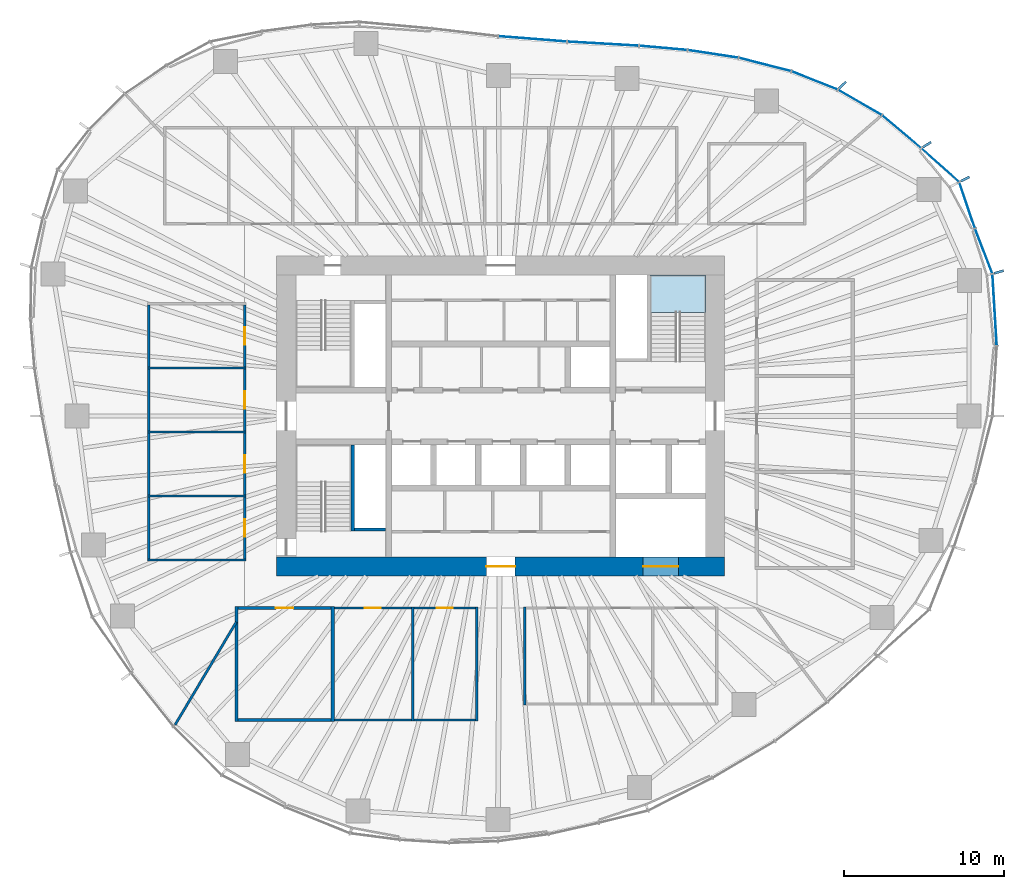
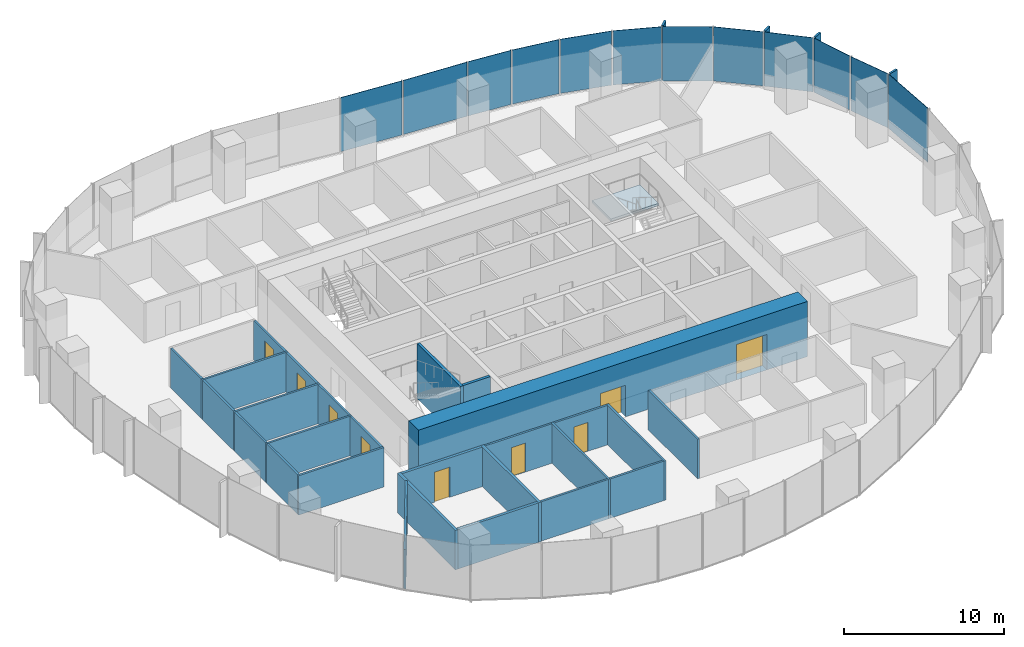
# One storey, part 8 of 18: 27 walls, 16 plates, 9 doors, 1 slab, 9 openings, 6 elements without a shape of their own.
"""IFC4 building model written with IfcOpenShell, lengths in metres."""

from ifc_helpers import new_model, si_unit, direction, frame, frame_2d, origin, origin_2d, place, context, subcontext, project, spatial, polyline, rectangle, outline, extrude, material, layer, layer_set, type_object, element, fill, aggregate, save


model = new_model("IFC4")

# Units and contexts
model_context = context("Model", 3, precision=1e-05, world=origin(), true_north=direction((0.0, 1.0)))
body_context = subcontext(model_context, "Body", "Model", "MODEL_VIEW")
ifc_project = project(units=[si_unit("LENGTHUNIT", "METRE"), si_unit("AREAUNIT", "SQUARE_METRE"), si_unit("VOLUMEUNIT", "CUBIC_METRE"), si_unit("PLANEANGLEUNIT", "RADIAN"), si_unit("MASSUNIT", "GRAM", prefix="KILO")], contexts=[model_context])

# Site, building, storey
site_placement = place(None, origin())
site = spatial("IfcSite", under=ifc_project, at=site_placement, CompositionType="ELEMENT")
building_placement = place(site_placement, origin())
building = spatial("IfcBuilding", under=site, at=building_placement, Name="Ghaith Harvest Tower", CompositionType="ELEMENT")
storey_placement = place(building_placement, frame((0.0, 0.0, 113.39990234375)))
storey = spatial("IfcBuildingStorey", under=building, at=storey_placement, Name="L23", CompositionType="ELEMENT", Elevation=113.39990234375)

# Curtain wall, plate
ifc_material_1 = material(Name="Black anodised aluminium and fritted glass", Category="aluminium")
curtain_wall_type = type_object("IfcCurtainWallType", Name="CW-L CURTAIN WALL", PredefinedType="NOTDEFINED", material=ifc_material_1)
curtain_wall_1_placement = place(storey_placement, origin())
curtain_wall_1 = element("IfcCurtainWall", 1, at=curtain_wall_1_placement, inside=storey, type_object=curtain_wall_type, Name="Curtain wall CW-L bay 01 L23", PredefinedType="NOTDEFINED")
ifc_material_2 = material(Name="Glass, dark solar-control fritted double glazed unit", Category="glass")
ifc_layer_1 = layer(ifc_material_2, 0.031982421875)
ifc_layer_set_1 = layer_set([ifc_layer_1], Name="CW-L VISION PANEL")
plate_type_1 = type_object("IfcPlateType", Name="CW-L VISION PANEL", PredefinedType="CURTAIN_PANEL", material=ifc_layer_set_1)
plate_1_placement = place(storey_placement, frame((30.863037109375, 6.63525390625, 0.080078125), z_axis=(0.0, 0.0, 1.0), x_axis=(-0.060320650032, 0.998179051663, 0.0)))
plate_1 = element("IfcPlate", 2, at=plate_1_placement, type_object=plate_type_1, Name="CW-L glass unit 2 bay 01 L23", PredefinedType="CURTAIN_PANEL", context=body_context, shape_type="SweptSolid", body=[
    extrude(rectangle(XDim=4.419189453125, YDim=0.031982421875, at=origin_2d()), origin(), (0.0, 0.0, 1.0), 4.1201171875),
])
aggregate(curtain_wall_1, [plate_1])

# Curtain wall, plates
curtain_wall_2_placement = place(storey_placement, origin())
curtain_wall_2 = element("IfcCurtainWall", 3, at=curtain_wall_2_placement, inside=storey, type_object=curtain_wall_type, Name="Curtain wall CW-L bay 02 L23", PredefinedType="NOTDEFINED")
plate_2_placement = place(storey_placement, frame((30.180908203125, 10.29833984375, 0.080078125), z_axis=(0.0, 0.0, 1.0), x_axis=(-0.359676824997, 0.933076943001, 0.0)))
plate_2 = element("IfcPlate", 4, at=plate_2_placement, type_object=plate_type_1, Name="CW-L glass unit 1 bay 02 L23", PredefinedType="CURTAIN_PANEL", context=body_context, shape_type="SweptSolid", body=[
    extrude(rectangle(XDim=2.95849609375, YDim=0.031982421875, at=origin_2d()), origin(), (0.0, 0.0, 1.0), 4.1201171875),
])
plate_3_placement = place(storey_placement, frame((29.142333984375, 13.163818359375, 0.080078125), z_axis=(0.0, 0.0, 1.0), x_axis=(-0.321853304376, 0.946789549194, 0.0)))
plate_3 = element("IfcPlate", 5, at=plate_3_placement, type_object=plate_type_1, Name="CW-L glass unit 2 bay 02 L23", PredefinedType="CURTAIN_PANEL", context=body_context, shape_type="SweptSolid", body=[
    extrude(rectangle(XDim=2.978759765625, YDim=0.031982421875, at=origin_2d()), origin(), (0.0, 0.0, 1.0), 4.1201171875),
])
plate_4_placement = place(storey_placement, frame((27.46533203125, 15.668701171875, 0.080078125), z_axis=(0.0, 0.0, 1.0), x_axis=(-0.746250544556, 0.665665174656, 0.0)))
plate_4 = element("IfcPlate", 6, at=plate_4_placement, type_object=plate_type_1, Name="CW-L glass unit 3 bay 02 L23", PredefinedType="CURTAIN_PANEL", context=body_context, shape_type="SweptSolid", body=[
    extrude(rectangle(XDim=3.094970703125, YDim=0.031982421875, at=origin_2d()), origin(), (0.0, 0.0, 1.0), 4.1201171875),
])
aggregate(curtain_wall_2, [plate_2, plate_3, plate_4])

curtain_wall_3_placement = place(storey_placement, origin())
curtain_wall_3 = element("IfcCurtainWall", 7, at=curtain_wall_3_placement, inside=storey, type_object=curtain_wall_type, Name="Curtain wall CW-L bay 03 L23", PredefinedType="NOTDEFINED")
plate_5_placement = place(storey_placement, frame((25.05126953125, 17.7587890625, 0.080078125), z_axis=(0.0, 0.0, 1.0), x_axis=(-0.765473064857, 0.643467937801, 0.0)))
plate_5 = element("IfcPlate", 8, at=plate_5_placement, type_object=plate_type_1, Name="CW-L glass unit 1 bay 03 L23", PredefinedType="CURTAIN_PANEL", context=body_context, shape_type="SweptSolid", body=[
    extrude(rectangle(XDim=3.13232421875, YDim=0.031982421875, at=origin_2d()), origin(), (0.0, 0.0, 1.0), 4.1201171875),
])
plate_6_placement = place(storey_placement, frame((22.444091796875, 19.590576171875, 0.080078125), z_axis=(0.0, 0.0, 1.0), x_axis=(-0.865232087993, 0.501371552751, 0.0)))
plate_6 = element("IfcPlate", 9, at=plate_6_placement, type_object=plate_type_1, Name="CW-L glass unit 2 bay 03 L23", PredefinedType="CURTAIN_PANEL", context=body_context, shape_type="SweptSolid", body=[
    extrude(rectangle(XDim=3.10498046875, YDim=0.031982421875, at=origin_2d()), origin(), (0.0, 0.0, 1.0), 4.1201171875),
])
plate_7_placement = place(storey_placement, frame((19.6142578125, 20.963623046875, 0.080078125), z_axis=(0.0, 0.0, 1.0), x_axis=(-0.929876534019, 0.367871759558, 0.0)))
plate_7 = element("IfcPlate", 10, at=plate_7_placement, type_object=plate_type_1, Name="CW-L glass unit 3 bay 03 L23", PredefinedType="CURTAIN_PANEL", context=body_context, shape_type="SweptSolid", body=[
    extrude(rectangle(XDim=3.042724609375, YDim=0.031982421875, at=origin_2d()), origin(), (0.0, 0.0, 1.0), 4.1201171875),
])
aggregate(curtain_wall_3, [plate_5, plate_6, plate_7])

curtain_wall_4_placement = place(storey_placement, origin())
curtain_wall_4 = element("IfcCurtainWall", 11, at=curtain_wall_4_placement, inside=storey, type_object=curtain_wall_type, Name="Curtain wall CW-L bay 04 L23", PredefinedType="NOTDEFINED")
plate_8_placement = place(storey_placement, frame((16.513427734375, 21.958740234375, 0.080078125), z_axis=(0.0, 0.0, 1.0), x_axis=(-0.96893110987, 0.247330758955, 0.0)))
plate_8 = element("IfcPlate", 12, at=plate_8_placement, type_object=plate_type_1, Name="CW-L glass unit 1 bay 04 L23", PredefinedType="CURTAIN_PANEL", context=body_context, shape_type="SweptSolid", body=[
    extrude(rectangle(XDim=3.3232421875, YDim=0.031982421875, at=origin_2d()), origin(), (0.0, 0.0, 1.0), 4.1201171875),
])
plate_9_placement = place(storey_placement, frame((13.2685546875, 22.621826171875, 0.080078125), z_axis=(0.0, 0.0, 1.0), x_axis=(-0.988678736369, 0.150047846542, 0.0)))
plate_9 = element("IfcPlate", 13, at=plate_9_placement, type_object=plate_type_1, Name="CW-L glass unit 2 bay 04 L23", PredefinedType="CURTAIN_PANEL", context=body_context, shape_type="SweptSolid", body=[
    extrude(rectangle(XDim=3.14892578125, YDim=0.031982421875, at=origin_2d()), origin(), (0.0, 0.0, 1.0), 4.1201171875),
])
plate_10_placement = place(storey_placement, frame((10.15966796875, 22.9970703125, 0.080078125), z_axis=(0.0, 0.0, 1.0), x_axis=(-0.996166190972, 0.087480969151, 0.0)))
plate_10 = element("IfcPlate", 14, at=plate_10_placement, type_object=plate_type_1, Name="CW-L glass unit 3 bay 04 L23", PredefinedType="CURTAIN_PANEL", context=body_context, shape_type="SweptSolid", body=[
    extrude(rectangle(XDim=2.957275390625, YDim=0.031982421875, at=origin_2d()), origin(), (0.0, 0.0, 1.0), 4.1201171875),
])
aggregate(curtain_wall_4, [plate_8, plate_9, plate_10])

curtain_wall_5_placement = place(storey_placement, origin())
curtain_wall_5 = element("IfcCurtainWall", 15, at=curtain_wall_5_placement, inside=storey, type_object=curtain_wall_type, Name="Curtain wall CW-L bay 05 L23", PredefinedType="NOTDEFINED")
plate_11_placement = place(storey_placement, frame((6.396728515625, 23.260498046875, 0.080078125), z_axis=(0.0, 0.0, 1.0), x_axis=(-0.998320798751, 0.05792739233, 0.0)))
plate_11 = element("IfcPlate", 16, at=plate_11_placement, type_object=plate_type_1, Name="CW-L glass unit 1 bay 05 L23", PredefinedType="CURTAIN_PANEL", context=body_context, shape_type="SweptSolid", body=[
    extrude(rectangle(XDim=4.427734375, YDim=0.031982421875, at=origin_2d()), origin(), (0.0, 0.0, 1.0), 4.1201171875),
])
plate_12_placement = place(storey_placement, frame((1.9921875, 23.560302734375, 0.080078125), z_axis=(0.0, 0.0, 1.0), x_axis=(-0.996925121312, 0.078360082291, 0.0)))
plate_12 = element("IfcPlate", 17, at=plate_12_placement, type_object=plate_type_1, Name="CW-L glass unit 2 bay 05 L23", PredefinedType="CURTAIN_PANEL", context=body_context, shape_type="SweptSolid", body=[
    extrude(rectangle(XDim=4.242431640625, YDim=0.031982421875, at=origin_2d()), origin(), (0.0, 0.0, 1.0), 4.1201171875),
])
aggregate(curtain_wall_5, [plate_11, plate_12])

# Stair, slab
ifc_material_3 = material(Name="Concrete C40/50, precast", Category="concrete")
stair_type = type_object("IfcStairType", Name="CORE STAIR 24R", PredefinedType="HALF_TURN_STAIR", material=ifc_material_3)
stair_placement = place(storey_placement, origin())
stair = element("IfcStair", 18, at=stair_placement, inside=storey, type_object=stair_type, Name="Stair ST2 L23", PredefinedType="HALF_TURN_STAIR")
ifc_material_4 = material(Name="Concrete C40/50, precast", Category="concrete")
ifc_layer_2 = layer(ifc_material_4, 0.179931640625)
ifc_layer_set_2 = layer_set([ifc_layer_2], Name="STAIR LANDING 180")
slab_type = type_object("IfcSlabType", Name="STAIR LANDING 180", PredefinedType="LANDING", material=ifc_layer_set_2)
slab_placement = place(storey_placement, frame((0.0, 0.0, 1.920166015625)))
slab = element("IfcSlab", 19, at=slab_placement, type_object=slab_type, Name="ST2 landing 1", PredefinedType="LANDING", context=body_context, shape_type="SweptSolid", body=[
    extrude(outline(polyline([(12.800048828125, 6.4599609375), (12.800048828125, 8.800048828125), (9.35009765625, 8.800048828125), (9.35009765625, 6.4599609375), (12.800048828125, 6.4599609375)])), origin(), (0.0, 0.0, 1.0), 0.179931640625),
])
aggregate(stair, [slab])

# Plates
ifc_material_5 = material(Name="Glassfibre-reinforced concrete", Category="concrete")
ifc_layer_3 = layer(ifc_material_5, 0.14990234375)
ifc_layer_set_3 = layer_set([ifc_layer_3], Name="SUN-BREAKER FIN 600x150")
plate_type_2 = type_object("IfcPlateType", Name="SUN-BREAKER FIN 600x150", PredefinedType="USERDEFINED", material=ifc_layer_set_3)
for number, where, z_axis, x_axis, name in (
    (20, (31.130859375, 8.99755859375, 0.0), (0.0, 0.0, 1.0), (0.960680349985, 0.277656739792, 0.0), "Sun-breaker fin CW-L 1 bay 02 L23"),
    (21, (29.024169921875, 14.802734375, 0.0), (0.0, 0.0, 1.0), (0.890830752257, 0.454335306611, 0.0), "Sun-breaker fin CW-L 3 bay 02 L23"),
    (22, (26.635009765625, 16.95068359375, 0.0), (0.0, 0.0, 1.0), (0.843643971464, 0.536903016766, 0.0), "Sun-breaker fin CW-L 1 bay 03 L23"),
    (23, (21.367919921875, 20.68115234375, 0.0), (0.0, 0.0, 1.0), (0.7185589652, 0.69546604053, 0.0), "Sun-breaker fin CW-L 3 bay 03 L23"),
):
    element("IfcPlate", number, at=place(storey_placement, frame(where, z_axis=z_axis, x_axis=x_axis)), inside=storey, type_object=plate_type_2, Name=name, ObjectType="SUN-BREAKER FIN", PredefinedType="USERDEFINED", context=body_context, shape_type="SweptSolid", body=[
        extrude(rectangle(XDim=0.60009765625, YDim=0.14990234375, at=origin_2d()), origin(), (0.0, 0.0, 1.0), 4.199951171875),
    ])

# Walls
ifc_material_6 = material(Name="Twin-stud gypsum board, acoustic", Category="gypsum")
ifc_layer_4 = layer(ifc_material_6, 0.199951171875)
ifc_layer_set_4 = layer_set([ifc_layer_4], Name="ACOUSTIC PARTITION 200")
wall_type_1 = type_object("IfcWallType", Name="ACOUSTIC PARTITION 200", PredefinedType="PARTITIONING", material=ifc_layer_set_4)
for number, where, z_axis, x_axis, name in (
    (24, (-16.5, -11.89990234375, 0.0), (0.0, 0.0, 1.0), (0.0, -1.0, 0.0), "Partition L23 row S4 cross wall 1"),
    (25, (-10.5, -11.89990234375, 0.0), (0.0, 0.0, 1.0), (0.0, -1.0, 0.0), "Partition L23 row S4 cross wall 2"),
):
    element("IfcWall", number, at=place(storey_placement, frame(where, z_axis=z_axis, x_axis=x_axis)), inside=storey, type_object=wall_type_1, Name=name, PredefinedType="PARTITIONING", context=body_context, shape_type="SweptSolid", body=[
        extrude(rectangle(XDim=7.2001953125, YDim=0.199951171875, at=frame_2d((3.60009765625, 0.0))), origin(), (0.0, 0.0, 1.0), 3.0),
    ])

# Wall, opening, door
wall_1_placement = place(storey_placement, frame((-16.39990234375, -12.0, 0.0), z_axis=(0.0, 0.0, 1.0), x_axis=(1.0, 0.0, 0.0)))
wall_1 = element("IfcWall", 26, at=wall_1_placement, inside=storey, type_object=wall_type_1, Name="Partition L23-13", PredefinedType="PARTITIONING", context=body_context, shape_type="SweptSolid", body=[
    extrude(rectangle(XDim=5.7998046875, YDim=0.199951171875, at=frame_2d((2.89990234375, 0.0))), origin(), (0.0, 0.0, 1.0), 3.0),
])
opening_1_placement = place(wall_1_placement, frame((2.35009765625, 0.0, 0.0)))
opening_1 = element("IfcOpeningElement", 27, at=opening_1_placement, cuts=wall_1, Name="Opening 23-042", PredefinedType="OPENING", context=body_context, shape_type="SweptSolid", body=[
    extrude(rectangle(XDim=1.10009765625, YDim=2.300048828125, at=frame_2d((0.550048828125, 1.14990234375))), frame((0.0, 0.10986328125, 0.0), z_axis=(0.0, -1.0, 0.0), x_axis=(1.0, 0.0, 0.0)), (0.0, 0.0, 1.0), 0.219970703125),
])
ifc_material_7 = material(Name="Timber-framed glazed door", Category="wood")
door_type_1 = type_object("IfcDoorType", Name="D12 GLAZED OFFICE 1100x2300", OperationType="SINGLE_SWING_LEFT", PredefinedType="DOOR", material=ifc_material_7)
door_1_placement = place(opening_1_placement, origin())
door_1 = element("IfcDoor", 28, at=door_1_placement, inside=storey, type_object=door_type_1, Name="Quiet room door", OperationType="SINGLE_SWING_LEFT", OverallHeight=2.300048828125, OverallWidth=1.10009765625, PredefinedType="DOOR", context=body_context, shape_type="SweptSolid", body=[
    extrude(rectangle(XDim=1.10009765625, YDim=2.300048828125, at=frame_2d((0.550048828125, 1.14990234375))), frame((0.0, 0.02490234375, 0.0), z_axis=(0.0, -1.0, 0.0), x_axis=(1.0, 0.0, 0.0)), (0.0, 0.0, 1.0), 0.050048828125),
])
fill(opening_1, door_1)

# Wall
wall_2_placement = place(storey_placement, frame((-16.39990234375, -19.0, 0.0), z_axis=(0.0, 0.0, 1.0), x_axis=(1.0, 0.0, 0.0)))
element("IfcWall", 29, at=wall_2_placement, inside=storey, type_object=wall_type_1, Name="Partition L23-13", PredefinedType="PARTITIONING", context=body_context, shape_type="SweptSolid", body=[
    extrude(rectangle(XDim=5.7998046875, YDim=0.199951171875, at=frame_2d((2.89990234375, 0.0))), origin(), (0.0, 0.0, 1.0), 3.0),
])

# Wall, openings, doors
ifc_material_8 = material(Name="Concrete C60/75", Category="concrete")
ifc_layer_5 = layer(ifc_material_8, 1.199951171875)
ifc_layer_set_5 = layer_set([ifc_layer_5], Name="CORE WALL CW1200 C60")
wall_type_2 = type_object("IfcWallType", Name="CORE WALL CW1200 C60", PredefinedType="SHEAR", material=ifc_layer_set_5)
wall_3_placement = place(storey_placement, frame((-14.0, -9.39990234375, 0.0), z_axis=(0.0, 0.0, 1.0), x_axis=(1.0, 0.0, 0.0)))
wall_3 = element("IfcWall", 30, at=wall_3_placement, inside=storey, type_object=wall_type_2, Name="Core wall S L23", PredefinedType="SHEAR", context=body_context, shape_type="SweptSolid", body=[
    extrude(rectangle(XDim=28.0, YDim=1.199951171875, at=frame_2d((14.0, 0.0))), origin(), (0.0, 0.0, 1.0), 4.2001953125),
])
opening_2_placement = place(wall_3_placement, frame((13.10009765625, 0.0, 0.0)))
opening_2 = element("IfcOpeningElement", 31, at=opening_2_placement, cuts=wall_3, Name="Opening 23-022", PredefinedType="OPENING", context=body_context, shape_type="SweptSolid", body=[
    extrude(rectangle(XDim=1.800048828125, YDim=2.39990234375, at=frame_2d((0.89990234375, 1.199951171875))), frame((0.0, 0.60986328125, 0.0), z_axis=(0.0, -1.0, 0.0), x_axis=(1.0, 0.0, 0.0)), (0.0, 0.0, 1.0), 1.219970703125),
])
opening_3_placement = place(wall_3_placement, frame((22.89990234375, 0.0, 0.0)))
opening_3 = element("IfcOpeningElement", 32, at=opening_3_placement, cuts=wall_3, Name="Opening 23-029", PredefinedType="OPENING", context=body_context, shape_type="SweptSolid", body=[
    extrude(rectangle(XDim=2.199951171875, YDim=2.699951171875, at=frame_2d((1.10009765625, 1.35009765625))), frame((0.0, 0.60986328125, 0.0), z_axis=(0.0, -1.0, 0.0), x_axis=(1.0, 0.0, 0.0)), (0.0, 0.0, 1.0), 1.219970703125),
])
ifc_material_9 = material(Name="Steel fire door", Category="steel")
door_type_2 = type_object("IfcDoorType", Name="D4 FD90 PAIR 1800x2400", OperationType="DOUBLE_DOOR_SINGLE_SWING", PredefinedType="DOOR", material=ifc_material_9)
door_2_placement = place(opening_2_placement, origin())
door_2 = element("IfcDoor", 33, at=door_2_placement, inside=storey, type_object=door_type_2, Name="Core service corridor doors", OperationType="DOUBLE_DOOR_SINGLE_SWING", OverallHeight=2.39990234375, OverallWidth=1.800048828125, PredefinedType="DOOR", context=body_context, shape_type="SweptSolid", body=[
    extrude(rectangle(XDim=1.800048828125, YDim=2.39990234375, at=frame_2d((0.89990234375, 1.199951171875))), frame((0.0, 0.02490234375, 0.0), z_axis=(0.0, -1.0, 0.0), x_axis=(1.0, 0.0, 0.0)), (0.0, 0.0, 1.0), 0.050048828125),
])
fill(opening_2, door_2)
ifc_material_10 = material(Name="Steel fire door", Category="steel")
door_type_3 = type_object("IfcDoorType", Name="LD3 LANDING 2200x2700", OperationType="DOUBLE_DOOR_SLIDING", PredefinedType="DOOR", material=ifc_material_10)
door_3_placement = place(opening_3_placement, origin())
door_3 = element("IfcDoor", 34, at=door_3_placement, inside=storey, type_object=door_type_3, Name="Landing door, goods lift GL1", OperationType="DOUBLE_DOOR_SLIDING", OverallHeight=2.699951171875, OverallWidth=2.199951171875, PredefinedType="DOOR", context=body_context, shape_type="SweptSolid", body=[
    extrude(rectangle(XDim=2.199951171875, YDim=2.699951171875, at=frame_2d((1.10009765625, 1.35009765625))), frame((0.0, 0.02490234375, 0.0), z_axis=(0.0, -1.0, 0.0), x_axis=(1.0, 0.0, 0.0)), (0.0, 0.0, 1.0), 0.050048828125),
])
fill(opening_3, door_3)

# Walls
ifc_material_11 = material(Name="Gypsum board on steel studs", Category="steel")
ifc_layer_6 = layer(ifc_material_11, 0.14990234375)
ifc_layer_set_6 = layer_set([ifc_layer_6], Name="PARTITION 150")
wall_type_3 = type_object("IfcWallType", Name="PARTITION 150", PredefinedType="PARTITIONING", material=ifc_layer_set_6)
for number, where, z_axis, x_axis, name in (
    (35, (-5.5, -11.925048828125, 0.0), (0.0, 0.0, 1.0), (0.0, -1.0, 0.0), "Partition L23 row S4 cross wall 3"),
    (36, (-1.5, -11.925048828125, 0.0), (0.0, 0.0, 1.0), (0.0, -1.0, 0.0), "Partition L23 row S4 cross wall 4"),
):
    element("IfcWall", number, at=place(storey_placement, frame(where, z_axis=z_axis, x_axis=x_axis)), inside=storey, type_object=wall_type_3, Name=name, PredefinedType="PARTITIONING", context=body_context, shape_type="SweptSolid", body=[
        extrude(rectangle(XDim=7.14990234375, YDim=0.14990234375, at=frame_2d((3.574951171875, 0.0))), origin(), (0.0, 0.0, 1.0), 3.0),
    ])

# Wall, opening, door
wall_4_placement = place(storey_placement, frame((-10.39990234375, -12.0, 0.0), z_axis=(0.0, 0.0, 1.0), x_axis=(1.0, 0.0, 0.0)))
wall_4 = element("IfcWall", 37, at=wall_4_placement, inside=storey, type_object=wall_type_3, Name="Partition L23-14", PredefinedType="PARTITIONING", context=body_context, shape_type="SweptSolid", body=[
    extrude(rectangle(XDim=4.824951171875, YDim=0.14990234375, at=frame_2d((2.41259765625, 0.0))), origin(), (0.0, 0.0, 1.0), 3.0),
])
opening_4_placement = place(wall_4_placement, frame((1.91259765625, 0.0, 0.0)))
opening_4 = element("IfcOpeningElement", 38, at=opening_4_placement, cuts=wall_4, Name="Opening 23-043", PredefinedType="OPENING", context=body_context, shape_type="SweptSolid", body=[
    extrude(rectangle(XDim=1.0, YDim=2.199951171875, at=frame_2d((0.5, 1.10009765625))), frame((0.0, 0.0849609375, 0.0), z_axis=(0.0, -1.0, 0.0), x_axis=(1.0, 0.0, 0.0)), (0.0, 0.0, 1.0), 0.169921875),
])
ifc_material_12 = material(Name="Timber door", Category="wood")
door_type_4 = type_object("IfcDoorType", Name="D1 SINGLE 1000x2200", OperationType="SINGLE_SWING_LEFT", PredefinedType="DOOR", material=ifc_material_12)
door_4_placement = place(opening_4_placement, origin())
door_4 = element("IfcDoor", 39, at=door_4_placement, inside=storey, type_object=door_type_4, Name="Print room door", OperationType="SINGLE_SWING_LEFT", OverallHeight=2.199951171875, OverallWidth=1.0, PredefinedType="DOOR", context=body_context, shape_type="SweptSolid", body=[
    extrude(rectangle(XDim=1.0, YDim=2.199951171875, at=frame_2d((0.5, 1.10009765625))), frame((0.0, 0.02490234375, 0.0), z_axis=(0.0, -1.0, 0.0), x_axis=(1.0, 0.0, 0.0)), (0.0, 0.0, 1.0), 0.050048828125),
])
fill(opening_4, door_4)

# Wall
wall_5_placement = place(storey_placement, frame((-10.39990234375, -19.0, 0.0), z_axis=(0.0, 0.0, 1.0), x_axis=(1.0, 0.0, 0.0)))
element("IfcWall", 40, at=wall_5_placement, inside=storey, type_object=wall_type_3, Name="Partition L23-14", PredefinedType="PARTITIONING", context=body_context, shape_type="SweptSolid", body=[
    extrude(rectangle(XDim=4.824951171875, YDim=0.14990234375, at=frame_2d((2.41259765625, 0.0))), origin(), (0.0, 0.0, 1.0), 3.0),
])

# Wall, opening, door
wall_6_placement = place(storey_placement, frame((-5.425048828125, -12.0, 0.0), z_axis=(0.0, 0.0, 1.0), x_axis=(1.0, 0.0, 0.0)))
wall_6 = element("IfcWall", 41, at=wall_6_placement, inside=storey, type_object=wall_type_3, Name="Partition L23-15", PredefinedType="PARTITIONING", context=body_context, shape_type="SweptSolid", body=[
    extrude(rectangle(XDim=3.85009765625, YDim=0.14990234375, at=frame_2d((1.925048828125, 0.0))), origin(), (0.0, 0.0, 1.0), 3.0),
])
opening_5_placement = place(wall_6_placement, frame((1.425048828125, 0.0, 0.0)))
opening_5 = element("IfcOpeningElement", 42, at=opening_5_placement, cuts=wall_6, Name="Opening 23-044", PredefinedType="OPENING", context=body_context, shape_type="SweptSolid", body=[
    extrude(rectangle(XDim=1.0, YDim=2.199951171875, at=frame_2d((0.5, 1.10009765625))), frame((0.0, 0.0849609375, 0.0), z_axis=(0.0, -1.0, 0.0), x_axis=(1.0, 0.0, 0.0)), (0.0, 0.0, 1.0), 0.169921875),
])
door_5_placement = place(opening_5_placement, origin())
door_5 = element("IfcDoor", 43, at=door_5_placement, inside=storey, type_object=door_type_4, Name="Store door", OperationType="SINGLE_SWING_LEFT", OverallHeight=2.199951171875, OverallWidth=1.0, PredefinedType="DOOR", context=body_context, shape_type="SweptSolid", body=[
    extrude(rectangle(XDim=1.0, YDim=2.199951171875, at=frame_2d((0.5, 1.10009765625))), frame((0.0, 0.02490234375, 0.0), z_axis=(0.0, -1.0, 0.0), x_axis=(1.0, 0.0, 0.0)), (0.0, 0.0, 1.0), 0.050048828125),
])
fill(opening_5, door_5)

# Walls
wall_7_placement = place(storey_placement, frame((-5.425048828125, -19.0, 0.0), z_axis=(0.0, 0.0, 1.0), x_axis=(1.0, 0.0, 0.0)))
element("IfcWall", 44, at=wall_7_placement, inside=storey, type_object=wall_type_3, Name="Partition L23-15", PredefinedType="PARTITIONING", context=body_context, shape_type="SweptSolid", body=[
    extrude(rectangle(XDim=3.85009765625, YDim=0.14990234375, at=frame_2d((1.925048828125, 0.0))), origin(), (0.0, 0.0, 1.0), 3.0),
])
for number, where, z_axis, x_axis, name in (
    (45, (1.5, -11.925048828125, 0.0), (0.0, 0.0, 1.0), (0.0, -1.0, 0.0), "Partition L23 row S5 cross wall 1"),
    (46, (-15.925048828125, -9.0, 0.0), (0.0, 0.0, 1.0), (-1.0, 0.0, 0.0), "Partition L23 row W6 cross wall 1"),
    (47, (-15.925048828125, -5.0, 0.0), (0.0, 0.0, 1.0), (-1.0, 0.0, 0.0), "Partition L23 row W6 cross wall 2"),
    (48, (-15.925048828125, -1.0, 0.0), (0.0, 0.0, 1.0), (-1.0, 0.0, 0.0), "Partition L23 row W6 cross wall 3"),
    (49, (-15.925048828125, 3.0, 0.0), (0.0, 0.0, 1.0), (-1.0, 0.0, 0.0), "Partition L23 row W6 cross wall 4"),
):
    element("IfcWall", number, at=place(storey_placement, frame(where, z_axis=z_axis, x_axis=x_axis)), inside=storey, type_object=wall_type_3, Name=name, PredefinedType="PARTITIONING", context=body_context, shape_type="SweptSolid", body=[
        extrude(rectangle(XDim=6.14990234375, YDim=0.14990234375, at=frame_2d((3.074951171875, 0.0))), origin(), (0.0, 0.0, 1.0), 3.0),
    ])

# Wall, opening, door
wall_8_placement = place(storey_placement, frame((-16.0, -8.925048828125, 0.0), z_axis=(0.0, 0.0, 1.0), x_axis=(0.0, 1.0, 0.0)))
wall_8 = element("IfcWall", 50, at=wall_8_placement, inside=storey, type_object=wall_type_3, Name="Partition L23-19", PredefinedType="PARTITIONING", context=body_context, shape_type="SweptSolid", body=[
    extrude(rectangle(XDim=3.85009765625, YDim=0.14990234375, at=frame_2d((1.925048828125, 0.0))), origin(), (0.0, 0.0, 1.0), 3.0),
])
opening_6_placement = place(wall_8_placement, frame((1.375, 0.0, 0.0)))
opening_6 = element("IfcOpeningElement", 51, at=opening_6_placement, cuts=wall_8, Name="Opening 23-048", PredefinedType="OPENING", context=body_context, shape_type="SweptSolid", body=[
    extrude(rectangle(XDim=1.10009765625, YDim=2.300048828125, at=frame_2d((0.550048828125, 1.14990234375))), frame((0.0, 0.0849609375, 0.0), z_axis=(0.0, -1.0, 0.0), x_axis=(1.0, 0.0, 0.0)), (0.0, 0.0, 1.0), 0.169921875),
])
door_6_placement = place(opening_6_placement, origin())
door_6 = element("IfcDoor", 52, at=door_6_placement, inside=storey, type_object=door_type_1, Name="Office door", OperationType="SINGLE_SWING_LEFT", OverallHeight=2.300048828125, OverallWidth=1.10009765625, PredefinedType="DOOR", context=body_context, shape_type="SweptSolid", body=[
    extrude(rectangle(XDim=1.10009765625, YDim=2.300048828125, at=frame_2d((0.550048828125, 1.14990234375))), frame((0.0, 0.02490234375, 0.0), z_axis=(0.0, -1.0, 0.0), x_axis=(1.0, 0.0, 0.0)), (0.0, 0.0, 1.0), 0.050048828125),
])
fill(opening_6, door_6)

# Wall
wall_9_placement = place(storey_placement, frame((-22.0, -8.925048828125, 0.0), z_axis=(0.0, 0.0, 1.0), x_axis=(0.0, 1.0, 0.0)))
element("IfcWall", 53, at=wall_9_placement, inside=storey, type_object=wall_type_3, Name="Partition L23-19", PredefinedType="PARTITIONING", context=body_context, shape_type="SweptSolid", body=[
    extrude(rectangle(XDim=3.85009765625, YDim=0.14990234375, at=frame_2d((1.925048828125, 0.0))), origin(), (0.0, 0.0, 1.0), 3.0),
])

# Wall, opening, door
wall_10_placement = place(storey_placement, frame((-16.0, -4.925048828125, 0.0), z_axis=(0.0, 0.0, 1.0), x_axis=(0.0, 1.0, 0.0)))
wall_10 = element("IfcWall", 54, at=wall_10_placement, inside=storey, type_object=wall_type_3, Name="Partition L23-20", PredefinedType="PARTITIONING", context=body_context, shape_type="SweptSolid", body=[
    extrude(rectangle(XDim=3.85009765625, YDim=0.14990234375, at=frame_2d((1.925048828125, 0.0))), origin(), (0.0, 0.0, 1.0), 3.0),
])
opening_7_placement = place(wall_10_placement, frame((1.375, 0.0, 0.0)))
opening_7 = element("IfcOpeningElement", 55, at=opening_7_placement, cuts=wall_10, Name="Opening 23-049", PredefinedType="OPENING", context=body_context, shape_type="SweptSolid", body=[
    extrude(rectangle(XDim=1.10009765625, YDim=2.300048828125, at=frame_2d((0.550048828125, 1.14990234375))), frame((0.0, 0.0849609375, 0.0), z_axis=(0.0, -1.0, 0.0), x_axis=(1.0, 0.0, 0.0)), (0.0, 0.0, 1.0), 0.169921875),
])
door_7_placement = place(opening_7_placement, origin())
door_7 = element("IfcDoor", 56, at=door_7_placement, inside=storey, type_object=door_type_1, Name="Office door", OperationType="SINGLE_SWING_LEFT", OverallHeight=2.300048828125, OverallWidth=1.10009765625, PredefinedType="DOOR", context=body_context, shape_type="SweptSolid", body=[
    extrude(rectangle(XDim=1.10009765625, YDim=2.300048828125, at=frame_2d((0.550048828125, 1.14990234375))), frame((0.0, 0.02490234375, 0.0), z_axis=(0.0, -1.0, 0.0), x_axis=(1.0, 0.0, 0.0)), (0.0, 0.0, 1.0), 0.050048828125),
])
fill(opening_7, door_7)

# Wall
wall_11_placement = place(storey_placement, frame((-22.0, -4.925048828125, 0.0), z_axis=(0.0, 0.0, 1.0), x_axis=(0.0, 1.0, 0.0)))
element("IfcWall", 57, at=wall_11_placement, inside=storey, type_object=wall_type_3, Name="Partition L23-20", PredefinedType="PARTITIONING", context=body_context, shape_type="SweptSolid", body=[
    extrude(rectangle(XDim=3.85009765625, YDim=0.14990234375, at=frame_2d((1.925048828125, 0.0))), origin(), (0.0, 0.0, 1.0), 3.0),
])

# Wall, opening, door
wall_12_placement = place(storey_placement, frame((-16.0, -0.925048828125, 0.0), z_axis=(0.0, 0.0, 1.0), x_axis=(0.0, 1.0, 0.0)))
wall_12 = element("IfcWall", 58, at=wall_12_placement, inside=storey, type_object=wall_type_3, Name="Partition L23-21", PredefinedType="PARTITIONING", context=body_context, shape_type="SweptSolid", body=[
    extrude(rectangle(XDim=3.85009765625, YDim=0.14990234375, at=frame_2d((1.925048828125, 0.0))), origin(), (0.0, 0.0, 1.0), 3.0),
])
opening_8_placement = place(wall_12_placement, frame((1.375, 0.0, 0.0)))
opening_8 = element("IfcOpeningElement", 59, at=opening_8_placement, cuts=wall_12, Name="Opening 23-050", PredefinedType="OPENING", context=body_context, shape_type="SweptSolid", body=[
    extrude(rectangle(XDim=1.10009765625, YDim=2.300048828125, at=frame_2d((0.550048828125, 1.14990234375))), frame((0.0, 0.0849609375, 0.0), z_axis=(0.0, -1.0, 0.0), x_axis=(1.0, 0.0, 0.0)), (0.0, 0.0, 1.0), 0.169921875),
])
door_8_placement = place(opening_8_placement, origin())
door_8 = element("IfcDoor", 60, at=door_8_placement, inside=storey, type_object=door_type_1, Name="Office door", OperationType="SINGLE_SWING_LEFT", OverallHeight=2.300048828125, OverallWidth=1.10009765625, PredefinedType="DOOR", context=body_context, shape_type="SweptSolid", body=[
    extrude(rectangle(XDim=1.10009765625, YDim=2.300048828125, at=frame_2d((0.550048828125, 1.14990234375))), frame((0.0, 0.02490234375, 0.0), z_axis=(0.0, -1.0, 0.0), x_axis=(1.0, 0.0, 0.0)), (0.0, 0.0, 1.0), 0.050048828125),
])
fill(opening_8, door_8)

# Wall
wall_13_placement = place(storey_placement, frame((-22.0, -0.925048828125, 0.0), z_axis=(0.0, 0.0, 1.0), x_axis=(0.0, 1.0, 0.0)))
element("IfcWall", 61, at=wall_13_placement, inside=storey, type_object=wall_type_3, Name="Partition L23-21", PredefinedType="PARTITIONING", context=body_context, shape_type="SweptSolid", body=[
    extrude(rectangle(XDim=3.85009765625, YDim=0.14990234375, at=frame_2d((1.925048828125, 0.0))), origin(), (0.0, 0.0, 1.0), 3.0),
])

# Wall, opening, door
wall_14_placement = place(storey_placement, frame((-16.0, 3.074951171875, 0.0), z_axis=(0.0, 0.0, 1.0), x_axis=(0.0, 1.0, 0.0)))
wall_14 = element("IfcWall", 62, at=wall_14_placement, inside=storey, type_object=wall_type_3, Name="Partition L23-22", PredefinedType="PARTITIONING", context=body_context, shape_type="SweptSolid", body=[
    extrude(rectangle(XDim=3.85009765625, YDim=0.14990234375, at=frame_2d((1.925048828125, 0.0))), origin(), (0.0, 0.0, 1.0), 3.0),
])
opening_9_placement = place(wall_14_placement, frame((1.375, 0.0, 0.0)))
opening_9 = element("IfcOpeningElement", 63, at=opening_9_placement, cuts=wall_14, Name="Opening 23-051", PredefinedType="OPENING", context=body_context, shape_type="SweptSolid", body=[
    extrude(rectangle(XDim=1.10009765625, YDim=2.300048828125, at=frame_2d((0.550048828125, 1.14990234375))), frame((0.0, 0.0849609375, 0.0), z_axis=(0.0, -1.0, 0.0), x_axis=(1.0, 0.0, 0.0)), (0.0, 0.0, 1.0), 0.169921875),
])
door_9_placement = place(opening_9_placement, origin())
door_9 = element("IfcDoor", 64, at=door_9_placement, inside=storey, type_object=door_type_1, Name="Office door", OperationType="SINGLE_SWING_LEFT", OverallHeight=2.300048828125, OverallWidth=1.10009765625, PredefinedType="DOOR", context=body_context, shape_type="SweptSolid", body=[
    extrude(rectangle(XDim=1.10009765625, YDim=2.300048828125, at=frame_2d((0.550048828125, 1.14990234375))), frame((0.0, 0.02490234375, 0.0), z_axis=(0.0, -1.0, 0.0), x_axis=(1.0, 0.0, 0.0)), (0.0, 0.0, 1.0), 0.050048828125),
])
fill(opening_9, door_9)

# Walls
wall_15_placement = place(storey_placement, frame((-22.0, 3.074951171875, 0.0), z_axis=(0.0, 0.0, 1.0), x_axis=(0.0, 1.0, 0.0)))
element("IfcWall", 65, at=wall_15_placement, inside=storey, type_object=wall_type_3, Name="Partition L23-22", PredefinedType="PARTITIONING", context=body_context, shape_type="SweptSolid", body=[
    extrude(rectangle(XDim=3.85009765625, YDim=0.14990234375, at=frame_2d((1.925048828125, 0.0))), origin(), (0.0, 0.0, 1.0), 3.0),
])
wall_16_placement = place(storey_placement, frame((-16.52001953125, -12.87353515625, 0.0), z_axis=(0.0, 0.0, 1.0), x_axis=(-0.511514296511, -0.85927476657, 0.0)))
element("IfcWall", 66, at=wall_16_placement, inside=storey, type_object=wall_type_3, Name="Partition L23 zone division", PredefinedType="PARTITIONING", context=body_context, shape_type="SweptSolid", body=[
    extrude(rectangle(XDim=7.473876953125, YDim=0.14990234375, at=frame_2d((3.73681640625, 0.0))), origin(), (0.0, 0.0, 1.0), 3.0),
])
ifc_material_13 = material(Name="Concrete C40/50", Category="concrete")
ifc_layer_7 = layer(ifc_material_13, 0.199951171875)
ifc_layer_set_7 = layer_set([ifc_layer_7], Name="STAIR SPINE WALL RC200")
wall_type_4 = type_object("IfcWallType", Name="STAIR SPINE WALL RC200", PredefinedType="SOLIDWALL", material=ifc_layer_set_7)
wall_17_placement = place(storey_placement, frame((-9.25, -7.199951171875, 0.0), z_axis=(0.0, 0.0, 1.0), x_axis=(0.0, 1.0, 0.0)))
element("IfcWall", 67, at=wall_17_placement, inside=storey, type_object=wall_type_4, Name="Stair ST3 spine wall L23", PredefinedType="SOLIDWALL", context=body_context, shape_type="SweptSolid", body=[
    extrude(rectangle(XDim=5.39990234375, YDim=0.199951171875, at=frame_2d((2.699951171875, 0.0))), origin(), (0.0, 0.0, 1.0), 4.2001953125),
])
wall_18_placement = place(storey_placement, frame((-9.14990234375, -7.10009765625, 0.0), z_axis=(0.0, 0.0, 1.0), x_axis=(1.0, 0.0, 0.0)))
element("IfcWall", 68, at=wall_18_placement, inside=storey, type_object=wall_type_4, Name="Stair ST3 spine wall return L23", PredefinedType="SOLIDWALL", context=body_context, shape_type="SweptSolid", body=[
    extrude(rectangle(XDim=1.949951171875, YDim=0.199951171875, at=frame_2d((0.97509765625, 0.0))), origin(), (0.0, 0.0, 1.0), 4.2001953125),
])

save(model, "model.ifc")
